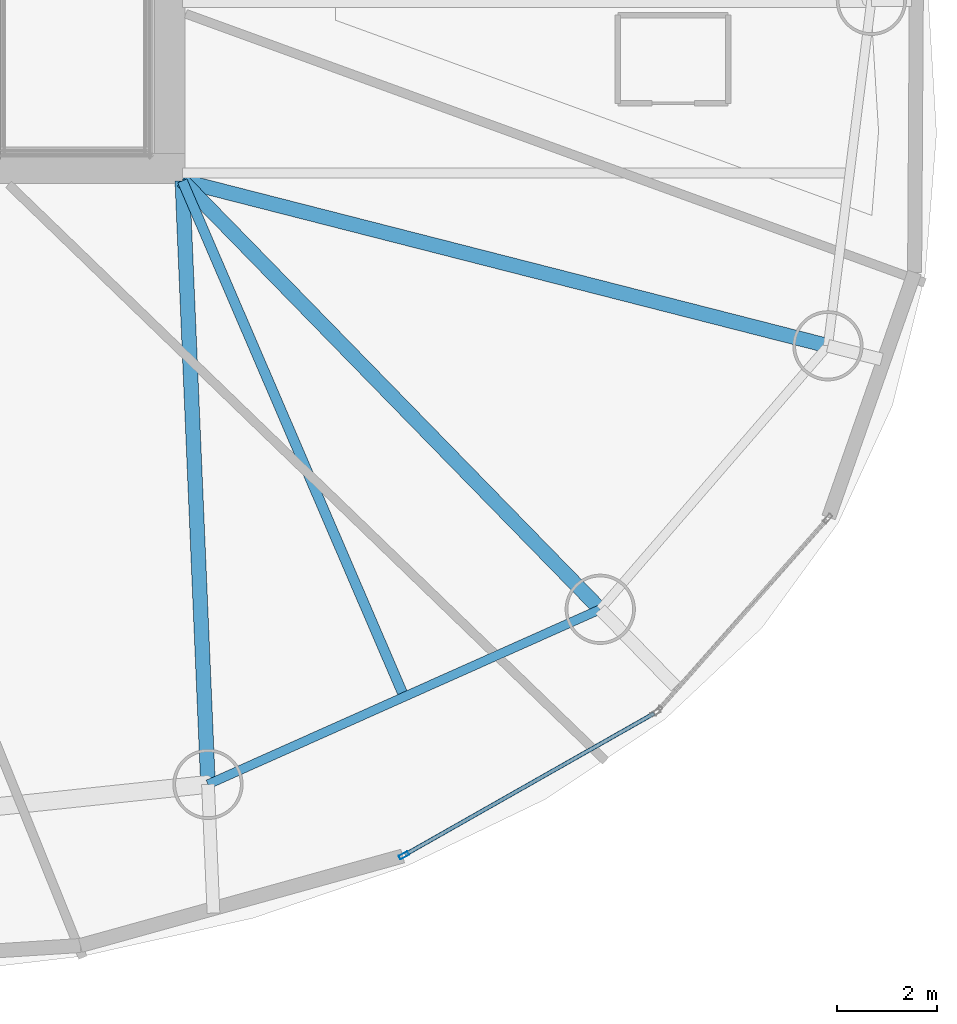
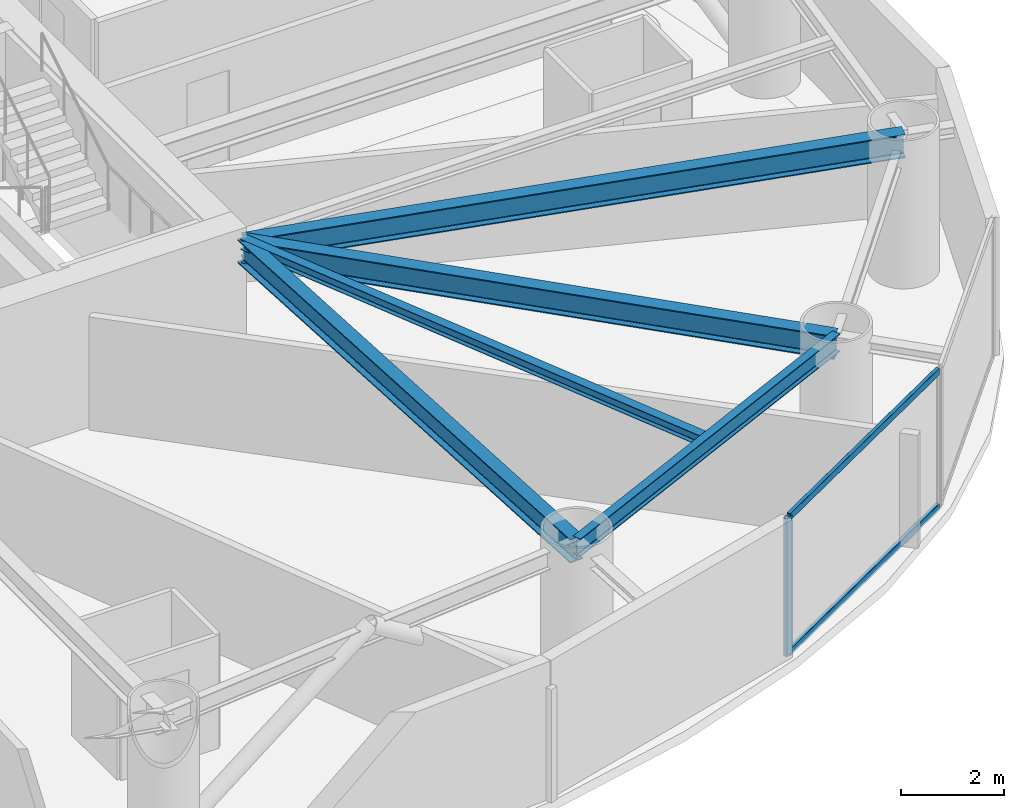
# One storey, part 5 of 20: 5 beams, 3 members, 1 element without a shape of its own.
"""IFC4 building model written with IfcOpenShell, lengths in metres."""

from ifc_helpers import new_model, si_unit, direction, frame, origin, origin_2d, place, context, subcontext, project, spatial, hollow_rectangle, i_section, extrude, material, layer, layer_set, material_profile, profile_set, type_object, element, aggregate, save


model = new_model("IFC4")

# Units and contexts
model_context = context("Model", 3, precision=1e-05, world=origin(), true_north=direction((0.0, 1.0)))
body_context = subcontext(model_context, "Body", "Model", "MODEL_VIEW")
ifc_project = project(units=[si_unit("LENGTHUNIT", "METRE"), si_unit("AREAUNIT", "SQUARE_METRE"), si_unit("VOLUMEUNIT", "CUBIC_METRE"), si_unit("PLANEANGLEUNIT", "RADIAN"), si_unit("MASSUNIT", "GRAM", prefix="KILO")], contexts=[model_context])

# Site, building, storey
site_placement = place(None, origin())
site = spatial("IfcSite", under=ifc_project, at=site_placement, CompositionType="ELEMENT")
building_placement = place(site_placement, origin())
building = spatial("IfcBuilding", under=site, at=building_placement, Name="Bramvorn Convention Spire", CompositionType="ELEMENT")
storey_placement = place(building_placement, frame((0.0, 0.0, 151.800048828125)))
storey = spatial("IfcBuildingStorey", under=building, at=storey_placement, Name="L38", CompositionType="ELEMENT", Elevation=151.800048828125)

# Beams
ifc_material_1 = material(Name="Steel CSA G40.21 Grade 350 (350W)", Category="steel")
ifc_material_profile_1 = material_profile(ifc_material_1, i_section(OverallWidth=0.201904296875, OverallDepth=0.2470703125, WebThickness=0.00732421875, FlangeThickness=0.010986328125, FilletRadius=0.011962890625, at=origin_2d()))
ifc_profile_set_1 = profile_set([ifc_material_profile_1], Name="Steel CSA G40.21 Grade 350 (350W) - W250X49")
beam_type_1 = type_object("IfcBeamType", Name="BM-W250X49", PredefinedType="JOIST", material=ifc_profile_set_1)
beam_1_placement = place(storey_placement, frame((49.25, 18.550048828125, 3.136474609375), z_axis=(0.394937739893, -0.918707886985, 0.0), x_axis=(0.918707886985, 0.394937739893, 0.0)))
element("IfcBeam", 1, at=beam_1_placement, inside=storey, type_object=beam_type_1, Name="L38 composite floor joist 15", PredefinedType="JOIST", context=body_context, shape_type="SweptSolid", body=[
    extrude(i_section(OverallWidth=0.201904296875, OverallDepth=0.2470703125, WebThickness=0.00732421875, FlangeThickness=0.010986328125, FilletRadius=0.011962890625, at=origin_2d()), origin(), (0.0, 0.0, 1.0), 11.19384765625),
])
ifc_material_profile_2 = material_profile(ifc_material_1, i_section(OverallWidth=0.180908203125, OverallDepth=0.4169921875, WebThickness=0.010986328125, FlangeThickness=0.018310546875, FilletRadius=0.01611328125, at=origin_2d()))
ifc_profile_set_2 = profile_set([ifc_material_profile_2], Name="Steel CSA G40.21 Grade 350 (350W) - W410X85")
beam_type_2 = type_object("IfcBeamType", Name="BM-W410X85", PredefinedType="JOIST", material=ifc_profile_set_2)
beam_2_placement = place(storey_placement, frame((49.76171875, 6.521240234375, 3.051513671875), z_axis=(0.913169534701, 0.407579931908, 0.0), x_axis=(-0.407579931908, 0.913169534701, 0.0)))
element("IfcBeam", 2, at=beam_2_placement, inside=storey, type_object=beam_type_2, Name="L38 mega-column ring beam 15", PredefinedType="JOIST", context=body_context, shape_type="SweptSolid", body=[
    extrude(i_section(OverallWidth=0.180908203125, OverallDepth=0.4169921875, WebThickness=0.010986328125, FlangeThickness=0.018310546875, FilletRadius=0.01611328125, at=origin_2d()), origin(), (0.0, 0.0, 1.0), 8.5615234375),
])
ifc_material_profile_3 = material_profile(ifc_material_1, i_section(OverallWidth=0.2919921875, OverallDepth=0.551025390625, WebThickness=0.01513671875, FlangeThickness=0.0244140625, FilletRadius=0.01904296875, at=origin_2d()))
ifc_profile_set_3 = profile_set([ifc_material_profile_3], Name="Steel CSA G40.21 Grade 350 (350W) - W530X182")
beam_type_3 = type_object("IfcBeamType", Name="BM-W530X182", PredefinedType="BEAM", material=ifc_profile_set_3)
beam_3_placement = place(storey_placement, frame((49.25, 18.550048828125, 2.984375), z_axis=(0.968872976577, -0.247558387576, 0.0), x_axis=(0.247558387576, 0.968872976577, 0.0)))
element("IfcBeam", 3, at=beam_3_placement, inside=storey, type_object=beam_type_3, Name="L38 radial floor girder MC01", PredefinedType="BEAM", context=body_context, shape_type="SweptSolid", body=[
    extrude(i_section(OverallWidth=0.2919921875, OverallDepth=0.551025390625, WebThickness=0.01513671875, FlangeThickness=0.0244140625, FilletRadius=0.01904296875, at=origin_2d()), origin(), (0.0, 0.0, 1.0), 13.281005859375),
])
beam_4_placement = place(storey_placement, frame((49.25, 18.550048828125, 2.984375), z_axis=(0.042502657955, -0.999096353745, 0.0), x_axis=(0.999096353745, 0.042502657955, 0.0)))
element("IfcBeam", 4, at=beam_4_placement, inside=storey, type_object=beam_type_3, Name="L38 radial floor girder MC15", PredefinedType="BEAM", context=body_context, shape_type="SweptSolid", body=[
    extrude(i_section(OverallWidth=0.2919921875, OverallDepth=0.551025390625, WebThickness=0.01513671875, FlangeThickness=0.0244140625, FilletRadius=0.01904296875, at=origin_2d()), origin(), (0.0, 0.0, 1.0), 12.039794921875),
])
beam_5_placement = place(storey_placement, frame((49.25, 18.550048828125, 2.984375), z_axis=(0.698272445638, -0.715832097397, 0.0), x_axis=(0.715832097397, 0.698272445638, 0.0)))
element("IfcBeam", 5, at=beam_5_placement, inside=storey, type_object=beam_type_3, Name="L38 radial floor girder MC16", PredefinedType="BEAM", context=body_context, shape_type="SweptSolid", body=[
    extrude(i_section(OverallWidth=0.2919921875, OverallDepth=0.551025390625, WebThickness=0.01513671875, FlangeThickness=0.0244140625, FilletRadius=0.01904296875, at=origin_2d()), origin(), (0.0, 0.0, 1.0), 11.92919921875),
])

# Curtain wall, members
ifc_material_2 = material(Name="Anodised Bronze Unitised Curtain Wall", Category="aluminium")
ifc_layer = layer(ifc_material_2, 0.179931640625)
ifc_layer_set = layer_set([ifc_layer], Name="Anodised Bronze Unitised Curtain Wall - CW-HTL-FRIT")
curtain_wall_type = type_object("IfcCurtainWallType", Name="CW-HTL-FRIT", PredefinedType="USERDEFINED", material=ifc_layer_set)
curtain_wall_placement = place(storey_placement, origin())
curtain_wall = element("IfcCurtainWall", 6, at=curtain_wall_placement, inside=storey, type_object=curtain_wall_type, Name="L38 fritted glass curtain wall 23", ObjectType="UNITISED CURTAIN WALL", PredefinedType="USERDEFINED")
ifc_material_3 = material(Name="Anodised Bronze Aluminium 6063-T6", Category="aluminium")
ifc_material_profile_4 = material_profile(ifc_material_3, hollow_rectangle(XDim=0.080078125, YDim=0.199951171875, WallThickness=0.00390625, InnerFilletRadius=0.0009765625, OuterFilletRadius=0.00390625, at=origin_2d()))
ifc_profile_set_4 = profile_set([ifc_material_profile_4], Name="Anodised Bronze Aluminium 6063-T6 - CWM80X200")
member_type_1 = type_object("IfcMemberType", Name="CW-MUL-180", PredefinedType="MULLION", material=ifc_profile_set_4)
member_1_placement = place(storey_placement, frame((53.6669921875, 5.10693359375, 0.0), z_axis=(0.0, 0.0, 1.0), x_axis=(0.493302868528, -0.869857620477, 0.0)))
member_1 = element("IfcMember", 7, at=member_1_placement, type_object=member_type_1, Name="CW2 mullion 2", PredefinedType="MULLION", context=body_context, shape_type="SweptSolid", body=[
    extrude(hollow_rectangle(XDim=0.080078125, YDim=0.199951171875, WallThickness=0.00390625, InnerFilletRadius=0.0009765625, OuterFilletRadius=0.00390625, at=origin_2d()), origin(), (0.0, 0.0, 1.0), 3.260009765625),
])
ifc_material_profile_5 = material_profile(ifc_material_3, hollow_rectangle(XDim=0.080078125, YDim=0.159912109375, WallThickness=0.00390625, InnerFilletRadius=0.0009765625, OuterFilletRadius=0.00390625, at=origin_2d()))
ifc_profile_set_5 = profile_set([ifc_material_profile_5], Name="Anodised Bronze Aluminium 6063-T6 - CWT80X160")
member_type_2 = type_object("IfcMemberType", Name="CW-TRN-150", PredefinedType="USERDEFINED", material=ifc_profile_set_5)
member_2_placement = place(storey_placement, frame((58.65380859375, 7.93505859375, 0.030029296875), z_axis=(-0.869858710707, -0.493300946084, 0.0), x_axis=(0.493300946084, -0.869858710707, 0.0)))
member_2 = element("IfcMember", 8, at=member_2_placement, type_object=member_type_2, Name="CW2 transom 1.1", ObjectType="TRANSOM", PredefinedType="USERDEFINED", context=body_context, shape_type="SweptSolid", body=[
    extrude(hollow_rectangle(XDim=0.080078125, YDim=0.159912109375, WallThickness=0.00390625, InnerFilletRadius=0.0009765625, OuterFilletRadius=0.00390625, at=origin_2d()), origin(), (0.0, 0.0, 1.0), 5.702880859375),
])
member_3_placement = place(storey_placement, frame((58.65380859375, 7.93505859375, 3.22998046875), z_axis=(-0.869858710707, -0.493300946084, 0.0), x_axis=(0.493300946084, -0.869858710707, 0.0)))
member_3 = element("IfcMember", 9, at=member_3_placement, type_object=member_type_2, Name="CW2 transom 1.2", ObjectType="TRANSOM", PredefinedType="USERDEFINED", context=body_context, shape_type="SweptSolid", body=[
    extrude(hollow_rectangle(XDim=0.080078125, YDim=0.159912109375, WallThickness=0.00390625, InnerFilletRadius=0.0009765625, OuterFilletRadius=0.00390625, at=origin_2d()), origin(), (0.0, 0.0, 1.0), 5.702880859375),
])
aggregate(curtain_wall, [member_1, member_2, member_3])

save(model, "model.ifc")
